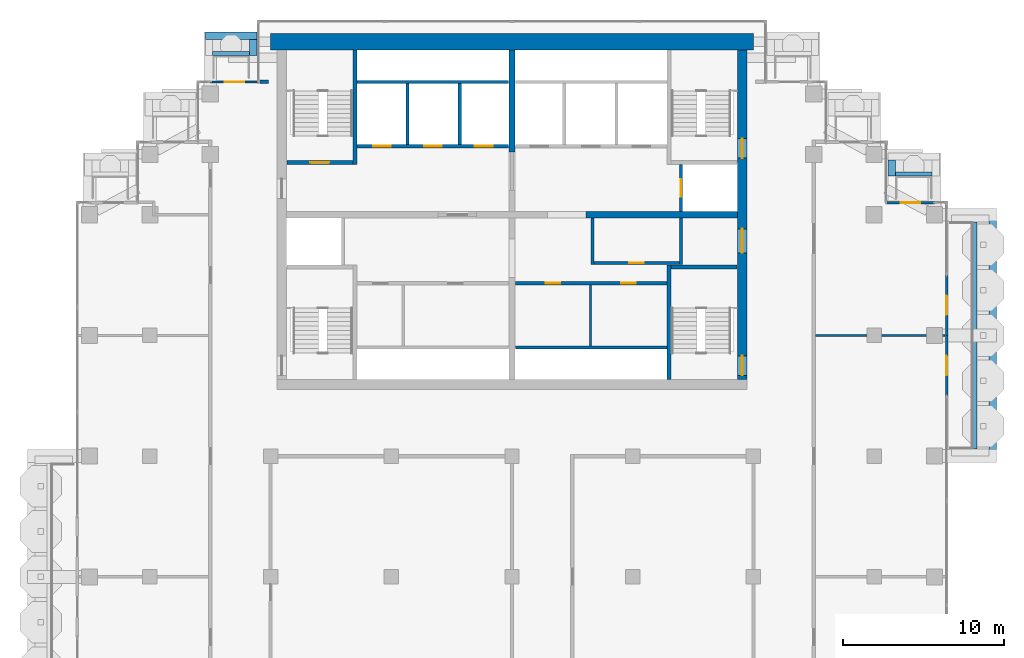
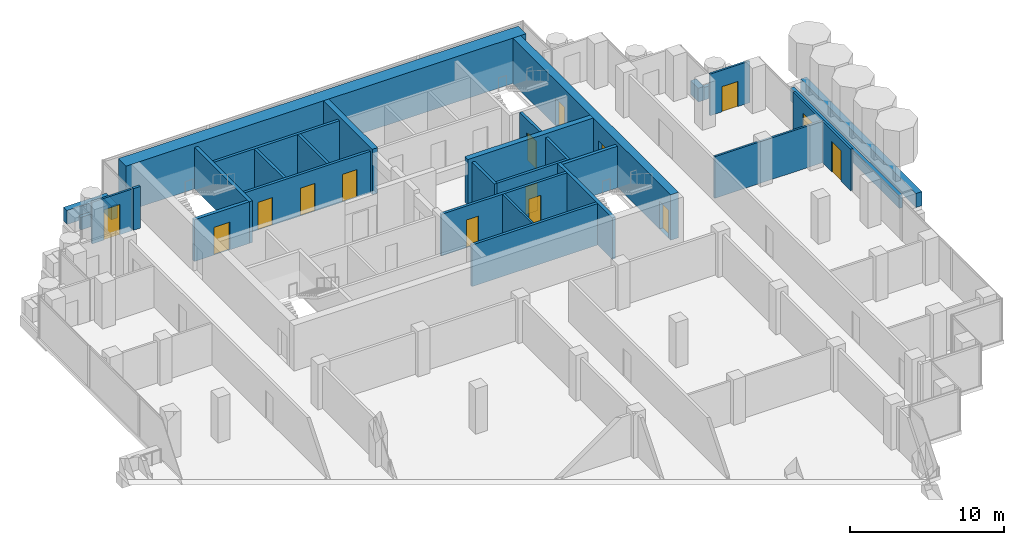
# One storey, part 13 of 18: 32 walls, 15 doors, 15 openings.
"""IFC4 building model written with IfcOpenShell, lengths in metres."""

from ifc_helpers import new_model, si_unit, direction, frame, frame_2d, origin, place, context, subcontext, project, spatial, rectangle, extrude, material, layer, layer_set, type_object, element, fill, save


model = new_model("IFC4")

# Units and contexts
model_context = context("Model", 3, precision=1e-05, world=origin(), true_north=direction((0.0, 1.0)))
body_context = subcontext(model_context, "Body", "Model", "MODEL_VIEW")
ifc_project = project(units=[si_unit("LENGTHUNIT", "METRE"), si_unit("AREAUNIT", "SQUARE_METRE"), si_unit("VOLUMEUNIT", "CUBIC_METRE"), si_unit("PLANEANGLEUNIT", "RADIAN"), si_unit("MASSUNIT", "GRAM", prefix="KILO")], contexts=[model_context])

# Site, building, storey
site_placement = place(None, origin())
site = spatial("IfcSite", under=ifc_project, at=site_placement, CompositionType="ELEMENT")
building_placement = place(site_placement, origin())
building = spatial("IfcBuilding", under=site, at=building_placement, Name="Pilkhan Gate Tower", CompositionType="ELEMENT")
storey_placement = place(building_placement, frame((0.0, 0.0, 210.300048828125)))
storey = spatial("IfcBuildingStorey", under=building, at=storey_placement, Name="L54", CompositionType="ELEMENT", Elevation=210.300048828125)

# Walls
ifc_material_1 = material(Name="Concrete C40/50", Category="concrete")
ifc_layer_1 = layer(ifc_material_1, 0.25)
ifc_layer_set_1 = layer_set([ifc_layer_1], Name="Balcony planter BP250")
wall_type_1 = type_object("IfcWallType", Name="Balcony planter BP250", PredefinedType="USERDEFINED", material=ifc_layer_set_1)
wall_1_placement = place(storey_placement, frame((103.77490234375, 67.949951171875, 0.0), z_axis=(0.0, 0.0, 1.0), x_axis=(0.0, 1.0, 0.0)))
element("IfcWall", 1, at=wall_1_placement, inside=storey, type_object=wall_type_1, Name="Balcony planter L54 E", ObjectType="BALCONY PLANTER", PredefinedType="USERDEFINED", context=body_context, shape_type="SweptSolid", body=[
    extrude(rectangle(XDim=14.10009765625, YDim=0.25, at=frame_2d((7.050048828125, 0.0))), origin(), (0.0, 0.0, 1.0), 1.0),
])
wall_2_placement = place(storey_placement, frame((56.39990234375, 92.52490234375, 0.0), z_axis=(0.0, 0.0, 1.0), x_axis=(1.0, 0.0, 0.0)))
element("IfcWall", 2, at=wall_2_placement, inside=storey, type_object=wall_type_1, Name="Balcony planter L54 N", ObjectType="BALCONY PLANTER", PredefinedType="USERDEFINED", context=body_context, shape_type="SweptSolid", body=[
    extrude(rectangle(XDim=2.300048828125, YDim=0.25, at=frame_2d((1.14990234375, 0.0))), origin(), (0.0, 0.0, 1.0), 1.0),
])
wall_3_placement = place(storey_placement, frame((98.820068359375, 85.02490234375, 0.0), z_axis=(0.0, 0.0, 1.0), x_axis=(1.0, 0.0, 0.0)))
element("IfcWall", 3, at=wall_3_placement, inside=storey, type_object=wall_type_1, Name="Balcony planter L54 N", ObjectType="BALCONY PLANTER", PredefinedType="USERDEFINED", context=body_context, shape_type="SweptSolid", body=[
    extrude(rectangle(XDim=2.280029296875, YDim=0.25, at=frame_2d((1.14013671875, 0.0))), origin(), (0.0, 0.0, 1.0), 1.0),
])
ifc_material_2 = material(Name="Board-marked Concrete C40/50", Category="concrete")
ifc_layer_2 = layer(ifc_material_2, 0.449951171875)
ifc_layer_set_2 = layer_set([ifc_layer_2], Name="Balcony planter lip BL450")
wall_type_2 = type_object("IfcWallType", Name="Balcony planter lip BL450", PredefinedType="USERDEFINED", material=ifc_layer_set_2)
wall_4_placement = place(storey_placement, frame((104.875, 67.5, 0.0), z_axis=(0.0, 0.0, 1.0), x_axis=(0.0, 1.0, 0.0)))
element("IfcWall", 4, at=wall_4_placement, inside=storey, type_object=wall_type_2, Name="Balcony planter L54 E", ObjectType="BALCONY PLANTER", PredefinedType="USERDEFINED", context=body_context, shape_type="SweptSolid", body=[
    extrude(rectangle(XDim=15.0, YDim=0.449951171875, at=frame_2d((7.5, 0.0))), origin(), (0.0, 0.0, 1.0), 1.099853515625),
])
wall_5_placement = place(storey_placement, frame((55.949951171875, 93.625, 0.0), z_axis=(0.0, 0.0, 1.0), x_axis=(1.0, 0.0, 0.0)))
element("IfcWall", 5, at=wall_5_placement, inside=storey, type_object=wall_type_2, Name="Balcony planter L54 N", ObjectType="BALCONY PLANTER", PredefinedType="USERDEFINED", context=body_context, shape_type="SweptSolid", body=[
    extrude(rectangle(XDim=3.199951171875, YDim=0.449951171875, at=frame_2d((1.60009765625, 0.0))), origin(), (0.0, 0.0, 1.0), 1.099853515625),
])
for number, where, z_axis, x_axis, name in (
    (6, (58.925048828125, 92.39990234375, 0.0), (0.0, 0.0, 1.0), (0.0, 1.0, 0.0), "Balcony planter L54 N"),
    (7, (98.594970703125, 84.89990234375, 0.0), (0.0, 0.0, 1.0), (0.0, 1.0, 0.0), "Balcony planter L54 N"),
):
    element("IfcWall", number, at=place(storey_placement, frame(where, z_axis=z_axis, x_axis=x_axis)), inside=storey, type_object=wall_type_2, Name=name, ObjectType="BALCONY PLANTER", PredefinedType="USERDEFINED", context=body_context, shape_type="SweptSolid", body=[
        extrude(rectangle(XDim=1.0, YDim=0.449951171875, at=frame_2d((0.5, 0.0))), origin(), (0.0, 0.0, 1.0), 1.099853515625),
    ])
ifc_material_3 = material(Name="Concrete C50/60", Category="concrete")
ifc_layer_3 = layer(ifc_material_3, 1.0)
ifc_layer_set_3 = layer_set([ifc_layer_3], Name="Core wall CW1000 C50/60")
wall_type_3 = type_object("IfcWallType", Name="Core wall CW1000 C50/60", PredefinedType="SHEAR", material=ifc_layer_set_3)
wall_6_placement = place(storey_placement, frame((90.0, 93.25, 0.0), z_axis=(0.0, 0.0, 1.0), x_axis=(-1.0, 0.0, 0.0)))
element("IfcWall", 8, at=wall_6_placement, inside=storey, type_object=wall_type_3, Name="Core wall N L54", PredefinedType="SHEAR", context=body_context, shape_type="SweptSolid", body=[
    extrude(rectangle(XDim=30.0, YDim=1.0, at=frame_2d((15.0, 0.0))), origin(), (0.0, 0.0, 1.0), 3.599853515625),
])

# Wall, openings, doors
ifc_layer_4 = layer(ifc_material_3, 0.60009765625)
ifc_layer_set_4 = layer_set([ifc_layer_4], Name="Core wall CW600 C50/60")
wall_type_4 = type_object("IfcWallType", Name="Core wall CW600 C50/60", PredefinedType="SHEAR", material=ifc_layer_set_4)
wall_7_placement = place(storey_placement, frame((89.300048828125, 72.25, 0.0), z_axis=(0.0, 0.0, 1.0), x_axis=(0.0, 1.0, 0.0)))
wall_7 = element("IfcWall", 9, at=wall_7_placement, inside=storey, type_object=wall_type_4, Name="Core wall E L54", PredefinedType="SHEAR", context=body_context, shape_type="SweptSolid", body=[
    extrude(rectangle(XDim=20.5, YDim=0.60009765625, at=frame_2d((10.25, 0.0))), origin(), (0.0, 0.0, 1.0), 3.599853515625),
])
opening_1_placement = place(wall_7_placement, frame((0.27490234375, 0.0, 0.0)))
opening_1 = element("IfcOpeningElement", 10, at=opening_1_placement, cuts=wall_7, Name="Opening L54-03", PredefinedType="OPENING", context=body_context, shape_type="SweptSolid", body=[
    extrude(rectangle(XDim=1.199951171875, YDim=2.199951171875, at=frame_2d((0.60009765625, 1.10009765625))), frame((0.0, 0.31005859375, 0.0), z_axis=(0.0, -1.0, 0.0), x_axis=(1.0, 0.0, 0.0)), (0.0, 0.0, 1.0), 0.6201171875),
])
opening_2_placement = place(wall_7_placement, frame((13.77490234375, 0.0, 0.0)))
opening_2 = element("IfcOpeningElement", 11, at=opening_2_placement, cuts=wall_7, Name="Opening L54-05", PredefinedType="OPENING", context=body_context, shape_type="SweptSolid", body=[
    extrude(rectangle(XDim=1.199951171875, YDim=2.199951171875, at=frame_2d((0.60009765625, 1.10009765625))), frame((0.0, 0.31005859375, 0.0), z_axis=(0.0, -1.0, 0.0), x_axis=(1.0, 0.0, 0.0)), (0.0, 0.0, 1.0), 0.6201171875),
])
opening_3_placement = place(wall_7_placement, frame((7.875, 0.0, 0.0)))
opening_3 = element("IfcOpeningElement", 12, at=opening_3_placement, cuts=wall_7, Name="Opening L54-06", PredefinedType="OPENING", context=body_context, shape_type="SweptSolid", body=[
    extrude(rectangle(XDim=1.5, YDim=2.199951171875, at=frame_2d((0.75, 1.10009765625))), frame((0.0, 0.31005859375, 0.0), z_axis=(0.0, -1.0, 0.0), x_axis=(1.0, 0.0, 0.0)), (0.0, 0.0, 1.0), 0.6201171875),
])
ifc_material_4 = material(Name="Steel framed glazed door, 60 minute fire resisting", Category="steel")
door_type_1 = type_object("IfcDoorType", Name="Lobby door D09 1500x2200", OperationType="DOUBLE_DOOR_SINGLE_SWING", PredefinedType="DOOR", material=ifc_material_4)
door_1_placement = place(opening_3_placement, origin())
door_1 = element("IfcDoor", 13, at=door_1_placement, inside=storey, type_object=door_type_1, Name="Core door", OperationType="DOUBLE_DOOR_SINGLE_SWING", OverallHeight=2.199951171875, OverallWidth=1.5, PredefinedType="DOOR", context=body_context, shape_type="SweptSolid", body=[
    extrude(rectangle(XDim=1.5, YDim=2.199951171875, at=frame_2d((0.75, 1.10009765625))), frame((0.0, 0.02490234375, 0.0), z_axis=(0.0, -1.0, 0.0), x_axis=(1.0, 0.0, 0.0)), (0.0, 0.0, 1.0), 0.050048828125),
])
fill(opening_3, door_1)
ifc_material_5 = material(Name="Steel door, 120 minute fire resisting, panic bar", Category="steel")
door_type_2 = type_object("IfcDoorType", Name="Stair door D11 1200x2200", OperationType="SINGLE_SWING_LEFT", PredefinedType="DOOR", material=ifc_material_5)
door_2_placement = place(opening_1_placement, origin())
door_2 = element("IfcDoor", 14, at=door_2_placement, inside=storey, type_object=door_type_2, Name="Stair ST1 door", OperationType="SINGLE_SWING_RIGHT", OverallHeight=2.199951171875, OverallWidth=1.199951171875, PredefinedType="DOOR", context=body_context, shape_type="SweptSolid", body=[
    extrude(rectangle(XDim=1.199951171875, YDim=2.199951171875, at=frame_2d((0.60009765625, 1.10009765625))), frame((0.0, 0.02490234375, 0.0), z_axis=(0.0, -1.0, 0.0), x_axis=(1.0, 0.0, 0.0)), (0.0, 0.0, 1.0), 0.050048828125),
])
fill(opening_1, door_2)
door_3_placement = place(opening_2_placement, origin())
door_3 = element("IfcDoor", 15, at=door_3_placement, inside=storey, type_object=door_type_2, Name="Stair ST4 door", OperationType="SINGLE_SWING_RIGHT", OverallHeight=2.199951171875, OverallWidth=1.199951171875, PredefinedType="DOOR", context=body_context, shape_type="SweptSolid", body=[
    extrude(rectangle(XDim=1.199951171875, YDim=2.199951171875, at=frame_2d((0.60009765625, 1.10009765625))), frame((0.0, 0.02490234375, 0.0), z_axis=(0.0, -1.0, 0.0), x_axis=(1.0, 0.0, 0.0)), (0.0, 0.0, 1.0), 0.050048828125),
])
fill(opening_2, door_3)

# Wall
ifc_material_6 = material(Name="Dense blockwork", Category="masonry")
ifc_layer_5 = layer(ifc_material_6, 0.199951171875)
ifc_layer_set_5 = layer_set([ifc_layer_5], Name="Corridor wall FW200")
wall_type_5 = type_object("IfcWallType", Name="Corridor wall FW200", PredefinedType="PARTITIONING", material=ifc_layer_set_5)
wall_8_placement = place(storey_placement, frame((59.35498046875, 90.764892578125, 0.0), z_axis=(0.0, 0.0, 1.0), x_axis=(1.0, 0.0, 0.0)))
element("IfcWall", 16, at=wall_8_placement, inside=storey, type_object=wall_type_5, Name="Partition L54", PredefinedType="PARTITIONING", context=body_context, shape_type="SweptSolid", body=[
    extrude(rectangle(XDim=0.52490234375, YDim=0.199951171875, at=frame_2d((0.262451171875, 0.0))), origin(), (0.0, 0.0, 1.0), 3.300048828125),
])

# Wall, opening, door
ifc_material_7 = material(Name="Pale anodised aluminium, clear laminated glazing", Category="aluminium")
ifc_layer_6 = layer(ifc_material_7, 0.14990234375)
ifc_layer_set_6 = layer_set([ifc_layer_6], Name="Facade infill wall IW150")
wall_type_6 = type_object("IfcWallType", Name="Facade infill wall IW150", PredefinedType="SOLIDWALL", material=ifc_layer_set_6)
wall_9_placement = place(storey_placement, frame((102.0, 71.25, 0.0), z_axis=(0.0, 0.0, 1.0), x_axis=(0.0, 1.0, 0.0)))
wall_9 = element("IfcWall", 17, at=wall_9_placement, inside=storey, type_object=wall_type_6, Name="Infill wall L54 E", PredefinedType="SOLIDWALL", context=body_context, shape_type="SweptSolid", body=[
    extrude(rectangle(XDim=3.75, YDim=0.14990234375, at=frame_2d((1.875, 0.0))), origin(), (0.0, 0.0, 1.0), 3.300048828125),
])
opening_4_placement = place(wall_9_placement, frame((1.27490234375, 0.0, 0.0)))
opening_4 = element("IfcOpeningElement", 18, at=opening_4_placement, cuts=wall_9, Name="Opening D1", PredefinedType="OPENING", context=body_context, shape_type="SweptSolid", body=[
    extrude(rectangle(XDim=1.199951171875, YDim=2.39990234375, at=frame_2d((0.60009765625, 1.199951171875))), frame((0.0, 0.0849609375, 0.0), z_axis=(0.0, -1.0, 0.0), x_axis=(1.0, 0.0, 0.0)), (0.0, 0.0, 1.0), 0.169921875),
])
ifc_material_8 = material(Name="Pale anodised aluminium, clear glazing", Category="aluminium")
door_type_3 = type_object("IfcDoorType", Name="Balcony door D1 1200x2400", OperationType="SINGLE_SWING_LEFT", PredefinedType="DOOR", material=ifc_material_8)
door_4_placement = place(opening_4_placement, origin())
door_4 = element("IfcDoor", 19, at=door_4_placement, inside=storey, type_object=door_type_3, Name="Balcony door L54", OperationType="SINGLE_SWING_LEFT", OverallHeight=2.39990234375, OverallWidth=1.199951171875, PredefinedType="DOOR", context=body_context, shape_type="SweptSolid", body=[
    extrude(rectangle(XDim=1.199951171875, YDim=2.39990234375, at=frame_2d((0.60009765625, 1.199951171875))), frame((0.0, 0.02490234375, 0.0), z_axis=(0.0, -1.0, 0.0), x_axis=(1.0, 0.0, 0.0)), (0.0, 0.0, 1.0), 0.050048828125),
])
fill(opening_4, door_4)

wall_10_placement = place(storey_placement, frame((102.0, 75.0, 0.0), z_axis=(0.0, 0.0, 1.0), x_axis=(0.0, 1.0, 0.0)))
wall_10 = element("IfcWall", 20, at=wall_10_placement, inside=storey, type_object=wall_type_6, Name="Infill wall L54 E", PredefinedType="SOLIDWALL", context=body_context, shape_type="SweptSolid", body=[
    extrude(rectangle(XDim=3.75, YDim=0.14990234375, at=frame_2d((1.875, 0.0))), origin(), (0.0, 0.0, 1.0), 3.300048828125),
])
opening_5_placement = place(wall_10_placement, frame((1.27490234375, 0.0, 0.0)))
opening_5 = element("IfcOpeningElement", 21, at=opening_5_placement, cuts=wall_10, Name="Opening D1", PredefinedType="OPENING", context=body_context, shape_type="SweptSolid", body=[
    extrude(rectangle(XDim=1.199951171875, YDim=2.39990234375, at=frame_2d((0.60009765625, 1.199951171875))), frame((0.0, 0.0849609375, 0.0), z_axis=(0.0, -1.0, 0.0), x_axis=(1.0, 0.0, 0.0)), (0.0, 0.0, 1.0), 0.169921875),
])
door_5_placement = place(opening_5_placement, origin())
door_5 = element("IfcDoor", 22, at=door_5_placement, inside=storey, type_object=door_type_3, Name="Balcony door L54", OperationType="SINGLE_SWING_LEFT", OverallHeight=2.39990234375, OverallWidth=1.199951171875, PredefinedType="DOOR", context=body_context, shape_type="SweptSolid", body=[
    extrude(rectangle(XDim=1.199951171875, YDim=2.39990234375, at=frame_2d((0.60009765625, 1.199951171875))), frame((0.0, 0.02490234375, 0.0), z_axis=(0.0, -1.0, 0.0), x_axis=(1.0, 0.0, 0.0)), (0.0, 0.0, 1.0), 0.050048828125),
])
fill(opening_5, door_5)

wall_11_placement = place(storey_placement, frame((98.25, 83.25, 0.0), z_axis=(0.0, 0.0, 1.0), x_axis=(1.0, 0.0, 0.0)))
wall_11 = element("IfcWall", 23, at=wall_11_placement, inside=storey, type_object=wall_type_6, Name="Infill wall L54 N", PredefinedType="SOLIDWALL", context=body_context, shape_type="SweptSolid", body=[
    extrude(rectangle(XDim=3.0, YDim=0.14990234375, at=frame_2d((1.5, 0.0))), origin(), (0.0, 0.0, 1.0), 3.300048828125),
])
opening_6_placement = place(wall_11_placement, frame((0.89990234375, 0.0, 0.0)))
opening_6 = element("IfcOpeningElement", 24, at=opening_6_placement, cuts=wall_11, Name="Opening D1L", PredefinedType="OPENING", context=body_context, shape_type="SweptSolid", body=[
    extrude(rectangle(XDim=1.199951171875, YDim=2.0, at=frame_2d((0.60009765625, 1.0))), frame((0.0, 0.0849609375, 0.0), z_axis=(0.0, -1.0, 0.0), x_axis=(1.0, 0.0, 0.0)), (0.0, 0.0, 1.0), 0.169921875),
])
door_type_4 = type_object("IfcDoorType", Name="Balcony door D1L 1200x2000", OperationType="SINGLE_SWING_LEFT", PredefinedType="DOOR", material=ifc_material_8)
door_6_placement = place(opening_6_placement, origin())
door_6 = element("IfcDoor", 25, at=door_6_placement, inside=storey, type_object=door_type_4, Name="Balcony door L54", OperationType="SINGLE_SWING_LEFT", OverallHeight=2.0, OverallWidth=1.199951171875, PredefinedType="DOOR", context=body_context, shape_type="SweptSolid", body=[
    extrude(rectangle(XDim=1.199951171875, YDim=2.0, at=frame_2d((0.60009765625, 1.0))), frame((0.0, 0.02490234375, 0.0), z_axis=(0.0, -1.0, 0.0), x_axis=(1.0, 0.0, 0.0)), (0.0, 0.0, 1.0), 0.050048828125),
])
fill(opening_6, door_6)

wall_12_placement = place(storey_placement, frame((56.25, 90.75, 0.0), z_axis=(0.0, 0.0, 1.0), x_axis=(1.0, 0.0, 0.0)))
wall_12 = element("IfcWall", 26, at=wall_12_placement, inside=storey, type_object=wall_type_6, Name="Infill wall L54 N", PredefinedType="SOLIDWALL", context=body_context, shape_type="SweptSolid", body=[
    extrude(rectangle(XDim=3.0, YDim=0.14990234375, at=frame_2d((1.5, 0.0))), origin(), (0.0, 0.0, 1.0), 3.300048828125),
])
opening_7_placement = place(wall_12_placement, frame((0.89990234375, 0.0, 0.0)))
opening_7 = element("IfcOpeningElement", 27, at=opening_7_placement, cuts=wall_12, Name="Opening D1", PredefinedType="OPENING", context=body_context, shape_type="SweptSolid", body=[
    extrude(rectangle(XDim=1.199951171875, YDim=2.39990234375, at=frame_2d((0.60009765625, 1.199951171875))), frame((0.0, 0.0849609375, 0.0), z_axis=(0.0, -1.0, 0.0), x_axis=(1.0, 0.0, 0.0)), (0.0, 0.0, 1.0), 0.169921875),
])
door_7_placement = place(opening_7_placement, origin())
door_7 = element("IfcDoor", 28, at=door_7_placement, inside=storey, type_object=door_type_3, Name="Balcony door L54", OperationType="SINGLE_SWING_LEFT", OverallHeight=2.39990234375, OverallWidth=1.199951171875, PredefinedType="DOOR", context=body_context, shape_type="SweptSolid", body=[
    extrude(rectangle(XDim=1.199951171875, YDim=2.39990234375, at=frame_2d((0.60009765625, 1.199951171875))), frame((0.0, 0.02490234375, 0.0), z_axis=(0.0, -1.0, 0.0), x_axis=(1.0, 0.0, 0.0)), (0.0, 0.0, 1.0), 0.050048828125),
])
fill(opening_7, door_7)

# Wall
ifc_layer_7 = layer(ifc_material_6, 0.199951171875)
ifc_layer_set_7 = layer_set([ifc_layer_7], Name="Lobby wall LW200")
wall_type_7 = type_object("IfcWallType", Name="Lobby wall LW200", PredefinedType="PARTITIONING", material=ifc_layer_set_7)
wall_13_placement = place(storey_placement, frame((75.2099609375, 74.25, 0.0), z_axis=(0.0, 0.0, 1.0), x_axis=(1.0, 0.0, 0.0)))
element("IfcWall", 29, at=wall_13_placement, inside=storey, type_object=wall_type_7, Name="Partition L54", PredefinedType="PARTITIONING", context=body_context, shape_type="SweptSolid", body=[
    extrude(rectangle(XDim=9.4150390625, YDim=0.199951171875, at=frame_2d((4.70751953125, 0.0))), origin(), (0.0, 0.0, 1.0), 3.300048828125),
])

# Wall, openings, doors
wall_14_placement = place(storey_placement, frame((75.2099609375, 78.25, 0.0), z_axis=(0.0, 0.0, 1.0), x_axis=(1.0, 0.0, 0.0)))
wall_14 = element("IfcWall", 30, at=wall_14_placement, inside=storey, type_object=wall_type_7, Name="Partition L54", PredefinedType="PARTITIONING", context=body_context, shape_type="SweptSolid", body=[
    extrude(rectangle(XDim=9.4150390625, YDim=0.199951171875, at=frame_2d((4.70751953125, 0.0))), origin(), (0.0, 0.0, 1.0), 3.300048828125),
])
opening_8_placement = place(wall_14_placement, frame((1.89990234375, 0.0, 0.0)))
opening_8 = element("IfcOpeningElement", 31, at=opening_8_placement, cuts=wall_14, Name="Opening L54-11", PredefinedType="OPENING", context=body_context, shape_type="SweptSolid", body=[
    extrude(rectangle(XDim=0.89990234375, YDim=2.199951171875, at=frame_2d((0.449951171875, 1.10009765625))), frame((0.0, 0.10986328125, 0.0), z_axis=(0.0, -1.0, 0.0), x_axis=(1.0, 0.0, 0.0)), (0.0, 0.0, 1.0), 0.219970703125),
])
opening_9_placement = place(wall_14_placement, frame((6.56494140625, 0.0, 0.0)))
opening_9 = element("IfcOpeningElement", 32, at=opening_9_placement, cuts=wall_14, Name="Opening L54-12", PredefinedType="OPENING", context=body_context, shape_type="SweptSolid", body=[
    extrude(rectangle(XDim=0.89990234375, YDim=2.199951171875, at=frame_2d((0.449951171875, 1.10009765625))), frame((0.0, 0.10986328125, 0.0), z_axis=(0.0, -1.0, 0.0), x_axis=(1.0, 0.0, 0.0)), (0.0, 0.0, 1.0), 0.219970703125),
])
ifc_material_9 = material(Name="Timber flush door, 60 minute fire resisting, self-closing", Category="wood")
door_type_5 = type_object("IfcDoorType", Name="Store door D05 900x2200", OperationType="SINGLE_SWING_LEFT", PredefinedType="DOOR", material=ifc_material_9)
door_8_placement = place(opening_8_placement, origin())
door_8 = element("IfcDoor", 33, at=door_8_placement, inside=storey, type_object=door_type_5, Name="Store door", OperationType="SINGLE_SWING_RIGHT", OverallHeight=2.199951171875, OverallWidth=0.89990234375, PredefinedType="DOOR", context=body_context, shape_type="SweptSolid", body=[
    extrude(rectangle(XDim=0.89990234375, YDim=2.199951171875, at=frame_2d((0.449951171875, 1.10009765625))), frame((0.0, 0.02490234375, 0.0), z_axis=(0.0, -1.0, 0.0), x_axis=(1.0, 0.0, 0.0)), (0.0, 0.0, 1.0), 0.050048828125),
])
fill(opening_8, door_8)
door_9_placement = place(opening_9_placement, origin())
door_9 = element("IfcDoor", 34, at=door_9_placement, inside=storey, type_object=door_type_5, Name="Store door", OperationType="SINGLE_SWING_LEFT", OverallHeight=2.199951171875, OverallWidth=0.89990234375, PredefinedType="DOOR", context=body_context, shape_type="SweptSolid", body=[
    extrude(rectangle(XDim=0.89990234375, YDim=2.199951171875, at=frame_2d((0.449951171875, 1.10009765625))), frame((0.0, 0.02490234375, 0.0), z_axis=(0.0, -1.0, 0.0), x_axis=(1.0, 0.0, 0.0)), (0.0, 0.0, 1.0), 0.050048828125),
])
fill(opening_9, door_9)

# Wall, opening, door
wall_15_placement = place(storey_placement, frame((80.10009765625, 79.5, 0.0), z_axis=(0.0, 0.0, 1.0), x_axis=(1.0, 0.0, 0.0)))
wall_15 = element("IfcWall", 35, at=wall_15_placement, inside=storey, type_object=wall_type_7, Name="Partition L54", PredefinedType="PARTITIONING", context=body_context, shape_type="SweptSolid", body=[
    extrude(rectangle(XDim=5.2998046875, YDim=0.199951171875, at=frame_2d((2.64990234375, 0.0))), origin(), (0.0, 0.0, 1.0), 3.300048828125),
])
opening_10_placement = place(wall_15_placement, frame((2.199951171875, 0.0, 0.0)))
opening_10 = element("IfcOpeningElement", 36, at=opening_10_placement, cuts=wall_15, Name="Opening L54-07", PredefinedType="OPENING", context=body_context, shape_type="SweptSolid", body=[
    extrude(rectangle(XDim=0.89990234375, YDim=2.199951171875, at=frame_2d((0.449951171875, 1.10009765625))), frame((0.0, 0.10986328125, 0.0), z_axis=(0.0, -1.0, 0.0), x_axis=(1.0, 0.0, 0.0)), (0.0, 0.0, 1.0), 0.219970703125),
])
door_10_placement = place(opening_10_placement, origin())
door_10 = element("IfcDoor", 37, at=door_10_placement, inside=storey, type_object=door_type_5, Name="Store door", OperationType="SINGLE_SWING_LEFT", OverallHeight=2.199951171875, OverallWidth=0.89990234375, PredefinedType="DOOR", context=body_context, shape_type="SweptSolid", body=[
    extrude(rectangle(XDim=0.89990234375, YDim=2.199951171875, at=frame_2d((0.449951171875, 1.10009765625))), frame((0.0, 0.02490234375, 0.0), z_axis=(0.0, -1.0, 0.0), x_axis=(1.0, 0.0, 0.0)), (0.0, 0.0, 1.0), 0.050048828125),
])
fill(opening_10, door_10)

# Walls
for number, where, z_axis, x_axis, name in (
    (38, (80.0, 79.39990234375, 0.0), (0.0, 0.0, 1.0), (0.0, 1.0, 0.0), "Partition L54"),
    (39, (85.5, 79.39990234375, 0.0), (0.0, 0.0, 1.0), (0.0, 1.0, 0.0), "Partition L54"),
):
    element("IfcWall", number, at=place(storey_placement, frame(where, z_axis=z_axis, x_axis=x_axis)), inside=storey, type_object=wall_type_7, Name=name, PredefinedType="PARTITIONING", context=body_context, shape_type="SweptSolid", body=[
        extrude(rectangle(XDim=2.89013671875, YDim=0.199951171875, at=frame_2d((1.445068359375, 0.0))), origin(), (0.0, 0.0, 1.0), 3.300048828125),
    ])
ifc_material_10 = material(Name="Blockwork partition, plastered both sides", Category="masonry")
ifc_layer_8 = layer(ifc_material_10, 0.14990234375)
ifc_layer_set_8 = layer_set([ifc_layer_8], Name="Partition PW150")
wall_type_8 = type_object("IfcWallType", Name="Partition PW150", PredefinedType="PARTITIONING", material=ifc_layer_set_8)
wall_16_placement = place(storey_placement, frame((93.85009765625, 75.0, 0.0), z_axis=(0.0, 0.0, 1.0), x_axis=(1.0, 0.0, 0.0)))
element("IfcWall", 40, at=wall_16_placement, inside=storey, type_object=wall_type_8, Name="Partition L54", PredefinedType="PARTITIONING", context=body_context, shape_type="SweptSolid", body=[
    extrude(rectangle(XDim=8.06494140625, YDim=0.14990234375, at=frame_2d((4.032470703125, 0.0))), origin(), (0.0, 0.0, 1.0), 3.300048828125),
])
wall_17_placement = place(storey_placement, frame((79.875, 74.35009765625, 0.0), z_axis=(0.0, 0.0, 1.0), x_axis=(0.0, 1.0, 0.0)))
element("IfcWall", 41, at=wall_17_placement, inside=storey, type_object=wall_type_8, Name="Partition L54", PredefinedType="PARTITIONING", context=body_context, shape_type="SweptSolid", body=[
    extrude(rectangle(XDim=3.7998046875, YDim=0.14990234375, at=frame_2d((1.89990234375, 0.0))), origin(), (0.0, 0.0, 1.0), 3.300048828125),
])

# Wall, openings, doors
ifc_material_11 = material(Name="Reinforced blockwork shaft wall, 120 minute fire resisting", Category="masonry")
ifc_layer_9 = layer(ifc_material_11, 0.199951171875)
ifc_layer_set_9 = layer_set([ifc_layer_9], Name="Shaft wall SW200")
wall_type_9 = type_object("IfcWallType", Name="Shaft wall SW200", PredefinedType="PARTITIONING", material=ifc_layer_set_9)
wall_18_placement = place(storey_placement, frame((65.375, 86.75, 0.0), z_axis=(0.0, 0.0, 1.0), x_axis=(1.0, 0.0, 0.0)))
wall_18 = element("IfcWall", 42, at=wall_18_placement, inside=storey, type_object=wall_type_9, Name="Partition L54", PredefinedType="PARTITIONING", context=body_context, shape_type="SweptSolid", body=[
    extrude(rectangle(XDim=9.4150390625, YDim=0.199951171875, at=frame_2d((4.70751953125, 0.0))), origin(), (0.0, 0.0, 1.0), 3.300048828125),
])
opening_11_placement = place(wall_18_placement, frame((1.0, 0.0, 0.0)))
opening_11 = element("IfcOpeningElement", 43, at=opening_11_placement, cuts=wall_18, Name="Opening LD", PredefinedType="OPENING", context=body_context, shape_type="SweptSolid", body=[
    extrude(rectangle(XDim=1.10009765625, YDim=2.199951171875, at=frame_2d((0.550048828125, 1.10009765625))), frame((0.0, 0.10986328125, 0.0), z_axis=(0.0, -1.0, 0.0), x_axis=(1.0, 0.0, 0.0)), (0.0, 0.0, 1.0), 0.219970703125),
])
opening_12_placement = place(wall_18_placement, frame((4.175048828125, 0.0, 0.0)))
opening_12 = element("IfcOpeningElement", 44, at=opening_12_placement, cuts=wall_18, Name="Opening LD", PredefinedType="OPENING", context=body_context, shape_type="SweptSolid", body=[
    extrude(rectangle(XDim=1.10009765625, YDim=2.199951171875, at=frame_2d((0.550048828125, 1.10009765625))), frame((0.0, 0.10986328125, 0.0), z_axis=(0.0, -1.0, 0.0), x_axis=(1.0, 0.0, 0.0)), (0.0, 0.0, 1.0), 0.219970703125),
])
opening_13_placement = place(wall_18_placement, frame((7.324951171875, 0.0, 0.0)))
opening_13 = element("IfcOpeningElement", 45, at=opening_13_placement, cuts=wall_18, Name="Opening LD", PredefinedType="OPENING", context=body_context, shape_type="SweptSolid", body=[
    extrude(rectangle(XDim=1.10009765625, YDim=2.199951171875, at=frame_2d((0.550048828125, 1.10009765625))), frame((0.0, 0.10986328125, 0.0), z_axis=(0.0, -1.0, 0.0), x_axis=(1.0, 0.0, 0.0)), (0.0, 0.0, 1.0), 0.219970703125),
])
ifc_material_12 = material(Name="Stainless steel centre-opening landing door, 120 minute fire resisting", Category="steel")
door_type_6 = type_object("IfcDoorType", Name="Lift landing door LD 1100x2200", OperationType="DOUBLE_DOOR_SLIDING", PredefinedType="DOOR", material=ifc_material_12)
door_11_placement = place(opening_11_placement, origin())
door_11 = element("IfcDoor", 46, at=door_11_placement, inside=storey, type_object=door_type_6, Name="Landing door FF1", OperationType="DOUBLE_DOOR_SLIDING", OverallHeight=2.199951171875, OverallWidth=1.10009765625, PredefinedType="DOOR", context=body_context, shape_type="SweptSolid", body=[
    extrude(rectangle(XDim=1.10009765625, YDim=2.199951171875, at=frame_2d((0.550048828125, 1.10009765625))), frame((0.0, 0.02490234375, 0.0), z_axis=(0.0, -1.0, 0.0), x_axis=(1.0, 0.0, 0.0)), (0.0, 0.0, 1.0), 0.050048828125),
])
fill(opening_11, door_11)
door_12_placement = place(opening_12_placement, origin())
door_12 = element("IfcDoor", 47, at=door_12_placement, inside=storey, type_object=door_type_6, Name="Landing door FF2", OperationType="DOUBLE_DOOR_SLIDING", OverallHeight=2.199951171875, OverallWidth=1.10009765625, PredefinedType="DOOR", context=body_context, shape_type="SweptSolid", body=[
    extrude(rectangle(XDim=1.10009765625, YDim=2.199951171875, at=frame_2d((0.550048828125, 1.10009765625))), frame((0.0, 0.02490234375, 0.0), z_axis=(0.0, -1.0, 0.0), x_axis=(1.0, 0.0, 0.0)), (0.0, 0.0, 1.0), 0.050048828125),
])
fill(opening_12, door_12)
door_13_placement = place(opening_13_placement, origin())
door_13 = element("IfcDoor", 48, at=door_13_placement, inside=storey, type_object=door_type_6, Name="Landing door SV1", OperationType="DOUBLE_DOOR_SLIDING", OverallHeight=2.199951171875, OverallWidth=1.10009765625, PredefinedType="DOOR", context=body_context, shape_type="SweptSolid", body=[
    extrude(rectangle(XDim=1.10009765625, YDim=2.199951171875, at=frame_2d((0.550048828125, 1.10009765625))), frame((0.0, 0.02490234375, 0.0), z_axis=(0.0, -1.0, 0.0), x_axis=(1.0, 0.0, 0.0)), (0.0, 0.0, 1.0), 0.050048828125),
])
fill(opening_13, door_13)

# Walls
wall_19_placement = place(storey_placement, frame((65.375, 90.75, 0.0), z_axis=(0.0, 0.0, 1.0), x_axis=(1.0, 0.0, 0.0)))
element("IfcWall", 49, at=wall_19_placement, inside=storey, type_object=wall_type_9, Name="Partition L54", PredefinedType="PARTITIONING", context=body_context, shape_type="SweptSolid", body=[
    extrude(rectangle(XDim=9.4150390625, YDim=0.199951171875, at=frame_2d((4.70751953125, 0.0))), origin(), (0.0, 0.0, 1.0), 3.300048828125),
])
for number, where, z_axis, x_axis, name in (
    (50, (68.5, 86.85009765625, 0.0), (0.0, 0.0, 1.0), (0.0, 1.0, 0.0), "Partition L54"),
    (51, (71.75, 86.85009765625, 0.0), (0.0, 0.0, 1.0), (0.0, 1.0, 0.0), "Partition L54"),
):
    element("IfcWall", number, at=place(storey_placement, frame(where, z_axis=z_axis, x_axis=x_axis)), inside=storey, type_object=wall_type_9, Name=name, PredefinedType="PARTITIONING", context=body_context, shape_type="SweptSolid", body=[
        extrude(rectangle(XDim=3.7998046875, YDim=0.199951171875, at=frame_2d((1.89990234375, 0.0))), origin(), (0.0, 0.0, 1.0), 3.300048828125),
    ])

# Wall, opening, door
wall_20_placement = place(storey_placement, frame((85.5, 82.7099609375, 0.0), z_axis=(0.0, 0.0, 1.0), x_axis=(0.0, 1.0, 0.0)))
wall_20 = element("IfcWall", 52, at=wall_20_placement, inside=storey, type_object=wall_type_9, Name="Partition L54", PredefinedType="PARTITIONING", context=body_context, shape_type="SweptSolid", body=[
    extrude(rectangle(XDim=2.9150390625, YDim=0.199951171875, at=frame_2d((1.45751953125, 0.0))), origin(), (0.0, 0.0, 1.0), 3.300048828125),
])
opening_14_placement = place(wall_20_placement, frame((0.89990234375, 0.0, 0.0)))
opening_14 = element("IfcOpeningElement", 53, at=opening_14_placement, cuts=wall_20, Name="Opening LD", PredefinedType="OPENING", context=body_context, shape_type="SweptSolid", body=[
    extrude(rectangle(XDim=1.10009765625, YDim=2.199951171875, at=frame_2d((0.550048828125, 1.10009765625))), frame((0.0, 0.10986328125, 0.0), z_axis=(0.0, -1.0, 0.0), x_axis=(1.0, 0.0, 0.0)), (0.0, 0.0, 1.0), 0.219970703125),
])
door_14_placement = place(opening_14_placement, origin())
door_14 = element("IfcDoor", 54, at=door_14_placement, inside=storey, type_object=door_type_6, Name="Landing door HR4", OperationType="DOUBLE_DOOR_SLIDING", OverallHeight=2.199951171875, OverallWidth=1.10009765625, PredefinedType="DOOR", context=body_context, shape_type="SweptSolid", body=[
    extrude(rectangle(XDim=1.10009765625, YDim=2.199951171875, at=frame_2d((0.550048828125, 1.10009765625))), frame((0.0, 0.02490234375, 0.0), z_axis=(0.0, -1.0, 0.0), x_axis=(1.0, 0.0, 0.0)), (0.0, 0.0, 1.0), 0.050048828125),
])
fill(opening_14, door_14)

# Walls
ifc_layer_10 = layer(ifc_material_3, 0.39990234375)
ifc_layer_set_10 = layer_set([ifc_layer_10], Name="Spine wall SW400 C50/60")
wall_type_10 = type_object("IfcWallType", Name="Spine wall SW400 C50/60", PredefinedType="SHEAR", material=ifc_layer_set_10)
wall_21_placement = place(storey_placement, frame((79.60009765625, 82.5, 0.0), z_axis=(0.0, 0.0, 1.0), x_axis=(1.0, 0.0, 0.0)))
element("IfcWall", 55, at=wall_21_placement, inside=storey, type_object=wall_type_10, Name="Spine wall SP-EW3 L54", PredefinedType="SHEAR", context=body_context, shape_type="SweptSolid", body=[
    extrude(rectangle(XDim=9.39990234375, YDim=0.39990234375, at=frame_2d((4.699951171875, 0.0))), origin(), (0.0, 0.0, 1.0), 3.599853515625),
])
wall_22_placement = place(storey_placement, frame((75.0, 86.39990234375, 0.0), z_axis=(0.0, 0.0, 1.0), x_axis=(0.0, 1.0, 0.0)))
element("IfcWall", 56, at=wall_22_placement, inside=storey, type_object=wall_type_10, Name="Spine wall SP-NS-N2 L54", PredefinedType="SHEAR", context=body_context, shape_type="SweptSolid", body=[
    extrude(rectangle(XDim=6.35009765625, YDim=0.39990234375, at=frame_2d((3.175048828125, 0.0))), origin(), (0.0, 0.0, 1.0), 3.599853515625),
])
ifc_material_13 = material(Name="Reinforced blockwork, 120 minute fire resisting", Category="masonry")
ifc_layer_11 = layer(ifc_material_13, 0.25)
ifc_layer_set_11 = layer_set([ifc_layer_11], Name="Stair enclosure wall SE250")
wall_type_11 = type_object("IfcWallType", Name="Stair enclosure wall SE250", PredefinedType="PARTITIONING", material=ifc_layer_set_11)
wall_23_placement = place(storey_placement, frame((84.875, 79.25, 0.0), z_axis=(0.0, 0.0, 1.0), x_axis=(1.0, 0.0, 0.0)))
element("IfcWall", 57, at=wall_23_placement, inside=storey, type_object=wall_type_11, Name="Partition L54", PredefinedType="PARTITIONING", context=body_context, shape_type="SweptSolid", body=[
    extrude(rectangle(XDim=4.114990234375, YDim=0.25, at=frame_2d((2.0576171875, 0.0))), origin(), (0.0, 0.0, 1.0), 3.300048828125),
])

# Wall, opening, door
wall_24_placement = place(storey_placement, frame((61.010009765625, 85.75, 0.0), z_axis=(0.0, 0.0, 1.0), x_axis=(1.0, 0.0, 0.0)))
wall_24 = element("IfcWall", 58, at=wall_24_placement, inside=storey, type_object=wall_type_11, Name="Partition L54", PredefinedType="PARTITIONING", context=body_context, shape_type="SweptSolid", body=[
    extrude(rectangle(XDim=4.114990234375, YDim=0.25, at=frame_2d((2.0576171875, 0.0))), origin(), (0.0, 0.0, 1.0), 3.300048828125),
])
opening_15_placement = place(wall_24_placement, frame((1.449951171875, 0.0, 0.0)))
opening_15 = element("IfcOpeningElement", 59, at=opening_15_placement, cuts=wall_24, Name="Opening L54-02", PredefinedType="OPENING", context=body_context, shape_type="SweptSolid", body=[
    extrude(rectangle(XDim=1.199951171875, YDim=2.199951171875, at=frame_2d((0.60009765625, 1.10009765625))), frame((0.0, 0.135009765625, 0.0), z_axis=(0.0, -1.0, 0.0), x_axis=(1.0, 0.0, 0.0)), (0.0, 0.0, 1.0), 0.27001953125),
])
door_15_placement = place(opening_15_placement, origin())
door_15 = element("IfcDoor", 60, at=door_15_placement, inside=storey, type_object=door_type_2, Name="Stair ST3 lobby door", OperationType="SINGLE_SWING_RIGHT", OverallHeight=2.199951171875, OverallWidth=1.199951171875, PredefinedType="DOOR", context=body_context, shape_type="SweptSolid", body=[
    extrude(rectangle(XDim=1.199951171875, YDim=2.199951171875, at=frame_2d((0.60009765625, 1.10009765625))), frame((0.0, 0.02490234375, 0.0), z_axis=(0.0, -1.0, 0.0), x_axis=(1.0, 0.0, 0.0)), (0.0, 0.0, 1.0), 0.050048828125),
])
fill(opening_15, door_15)

# Walls
for number, where, z_axis, x_axis, name in (
    (61, (65.25, 85.625, 0.0), (0.0, 0.0, 1.0), (0.0, 1.0, 0.0), "Partition L54"),
    (62, (84.75, 72.260009765625, 0.0), (0.0, 0.0, 1.0), (0.0, 1.0, 0.0), "Partition L54"),
):
    element("IfcWall", number, at=place(storey_placement, frame(where, z_axis=z_axis, x_axis=x_axis)), inside=storey, type_object=wall_type_11, Name=name, PredefinedType="PARTITIONING", context=body_context, shape_type="SweptSolid", body=[
        extrude(rectangle(XDim=7.114990234375, YDim=0.25, at=frame_2d((3.5576171875, 0.0))), origin(), (0.0, 0.0, 1.0), 3.300048828125),
    ])

save(model, "model.ifc")
